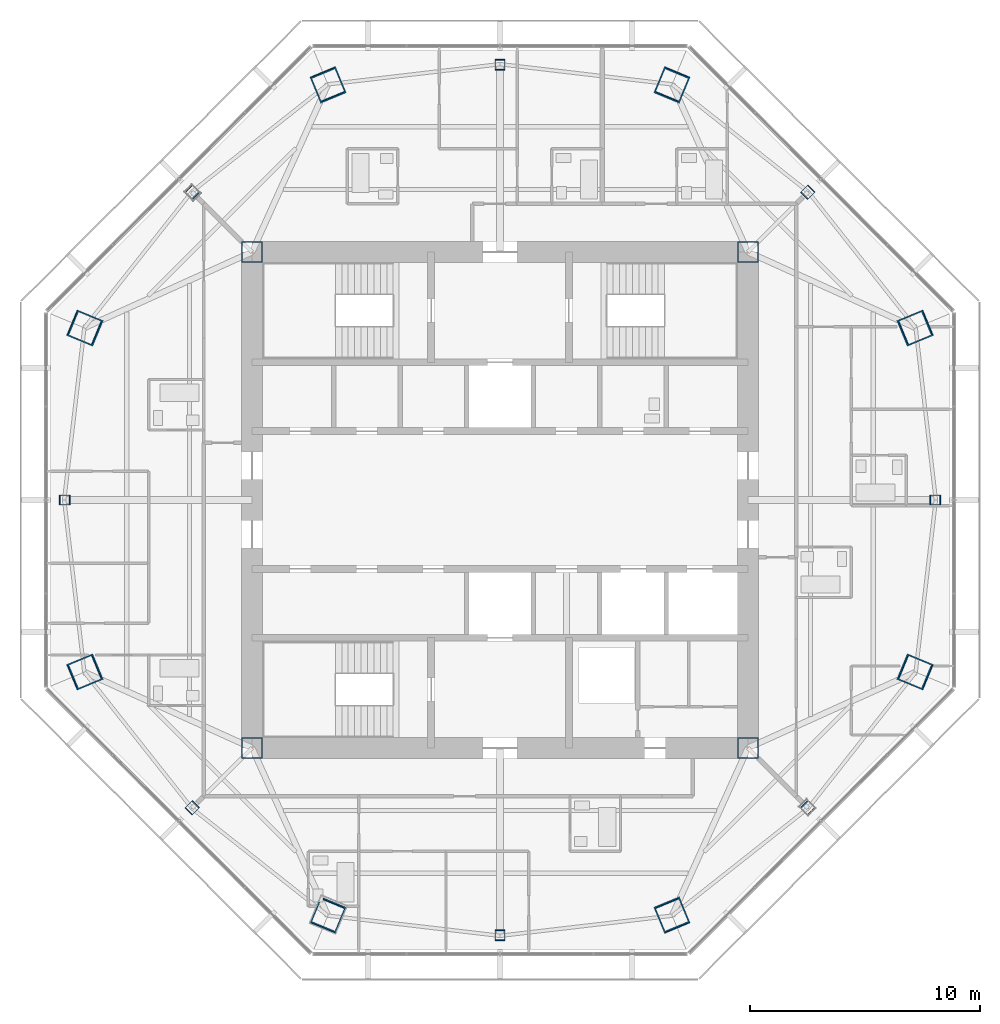
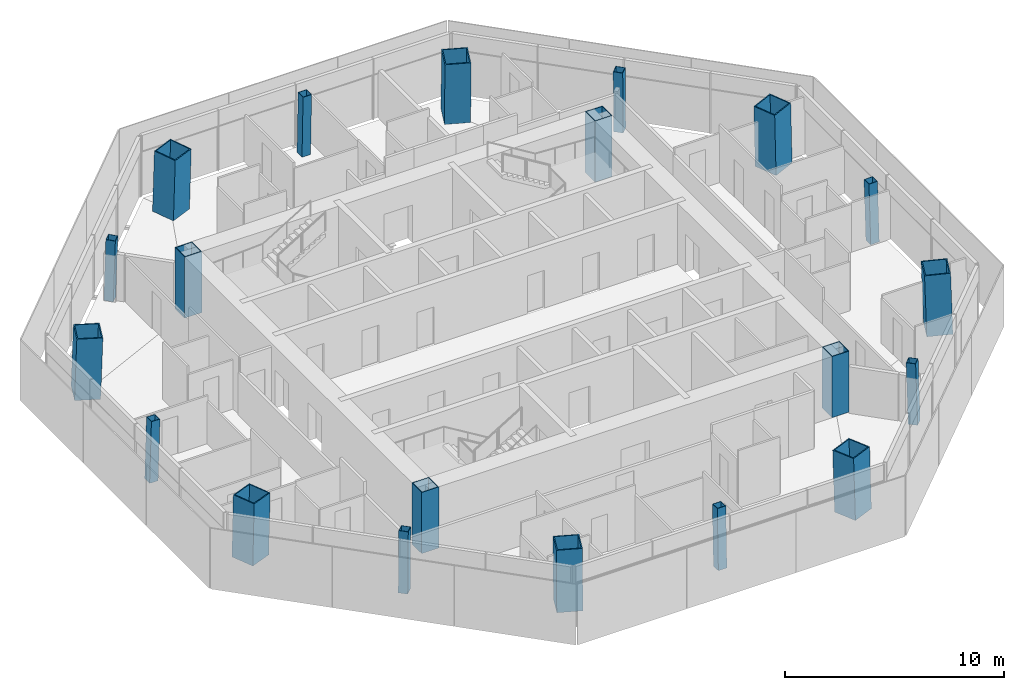
# One storey, part 1 of 15: 20 columns.
"""IFC4 building model written with IfcOpenShell, lengths in metres."""

from ifc_helpers import new_model, si_unit, direction, frame, origin, origin_2d, place, context, subcontext, project, spatial, hollow_rectangle, extrude, material, material_profile, profile_set, type_object, element, save


model = new_model("IFC4")

# Units and contexts
model_context = context("Model", 3, precision=1e-05, world=origin(), true_north=direction((0.0, 1.0)))
body_context = subcontext(model_context, "Body", "Model", "MODEL_VIEW")
ifc_project = project(units=[si_unit("LENGTHUNIT", "METRE"), si_unit("AREAUNIT", "SQUARE_METRE"), si_unit("VOLUMEUNIT", "CUBIC_METRE"), si_unit("PLANEANGLEUNIT", "RADIAN"), si_unit("MASSUNIT", "GRAM", prefix="KILO")], contexts=[model_context])

# Site, building, storey
site_placement = place(None, origin())
site = spatial("IfcSite", under=ifc_project, at=site_placement, CompositionType="ELEMENT")
building_placement = place(site_placement, origin())
building = spatial("IfcBuilding", under=site, at=building_placement, Name="Mashrafa Tower", CompositionType="ELEMENT")
storey_placement = place(building_placement, frame((0.0, 0.0, 291.199951171875)))
storey = spatial("IfcBuildingStorey", under=building, at=storey_placement, Name="L71", CompositionType="ELEMENT", Elevation=291.199951171875)

# Columns
ifc_material_1 = material(Name="Steel ASTM A572 Gr 50", Category="steel")
ifc_material_profile_1 = material_profile(ifc_material_1, hollow_rectangle(XDim=0.89990234375, YDim=0.89990234375, WallThickness=0.0400390625, at=origin_2d()), Name="BOX900X900X40")
ifc_profile_set_1 = profile_set([ifc_material_profile_1], Name="Steel ASTM A572 Gr 50")
column_type_1 = type_object("IfcColumnType", Name="Core corner column BOX900X900X40", PredefinedType="COLUMN", material=ifc_profile_set_1)
for number, where, z_axis, x_axis, name in (
    (1, (10.800048828125, 10.800048828125, 0.0), (0.0, 0.0, 1.0), (1.0, 0.0, 0.0), "Core corner column CC-NE L71"),
    (2, (-10.800048828125, 10.800048828125, 0.0), (0.0, 0.0, 1.0), (1.0, 0.0, 0.0), "Core corner column CC-NW L71"),
    (3, (-10.800048828125, -10.800048828125, 0.0), (0.0, 0.0, 1.0), (1.0, 0.0, 0.0), "Core corner column CC-SW L71"),
    (4, (10.800048828125, -10.800048828125, 0.0), (0.0, 0.0, 1.0), (1.0, 0.0, 0.0), "Core corner column CC-SE L71"),
):
    element("IfcColumn", number, at=place(storey_placement, frame(where, z_axis=z_axis, x_axis=x_axis)), inside=storey, type_object=column_type_1, Name=name, PredefinedType="COLUMN", context=body_context, shape_type="SweptSolid", body=[
        extrude(hollow_rectangle(XDim=0.89990234375, YDim=0.89990234375, WallThickness=0.0400390625, at=origin_2d()), origin(), (0.0, 0.0, 1.0), 3.400146484375),
    ])
ifc_material_2 = material(Name="Steel ASTM A572 Gr 50", Category="steel")
ifc_material_profile_2 = material_profile(ifc_material_2, hollow_rectangle(XDim=1.199951171875, YDim=1.199951171875, WallThickness=0.054931640625, at=origin_2d()), Name="BOX1200X1200X55")
ifc_profile_set_2 = profile_set([ifc_material_profile_2], Name="Steel ASTM A572 Gr 50")
column_type_2 = type_object("IfcColumnType", Name="Mega column CFST BOX1200X1200X55", PredefinedType="COLUMN", material=ifc_profile_set_2)
for number, where, z_axis, x_axis, name in (
    (5, (18.098876953125, 7.496826171875, 0.0), (-0.028277121884, -0.011698403216, 0.999531666202), (0.382282742426, -0.924045401938, 0.0), "Mega column MC1 L71"),
    (6, (7.496826171875, 18.098876953125, 0.0), (-0.011698403216, -0.028277121884, 0.999531666202), (0.924045401938, -0.382282742426, 0.0), "Mega column MC2 L71"),
    (7, (-7.496826171875, 18.098876953125, 0.0), (0.011698403216, -0.028277121884, 0.999531666202), (0.924045401938, 0.382282742426, 0.0), "Mega column MC3 L71"),
    (8, (-18.098876953125, 7.496826171875, 0.0), (0.028277121884, -0.011698403216, 0.999531666202), (0.382282742426, 0.924045401938, 0.0), "Mega column MC4 L71"),
    (9, (-18.098876953125, -7.496826171875, 0.0), (0.028277121884, 0.011698403216, 0.999531666202), (-0.382282742426, 0.924045401938, 0.0), "Mega column MC5 L71"),
    (10, (-7.496826171875, -18.098876953125, 0.0), (0.011698403216, 0.028277121884, 0.999531666202), (-0.924045401938, 0.382282742426, 0.0), "Mega column MC6 L71"),
    (11, (7.496826171875, -18.098876953125, 0.0), (-0.011698403216, 0.028277121884, 0.999531666202), (-0.924045401938, -0.382282742426, 0.0), "Mega column MC7 L71"),
    (12, (18.098876953125, -7.496826171875, 0.0), (-0.028277121884, 0.011698403216, 0.999531666202), (-0.382282742426, -0.924045401938, 0.0), "Mega column MC8 L71"),
):
    element("IfcColumn", number, at=place(storey_placement, frame(where, z_axis=z_axis, x_axis=x_axis)), inside=storey, type_object=column_type_2, Name=name, PredefinedType="COLUMN", context=body_context, shape_type="SweptSolid", body=[
        extrude(hollow_rectangle(XDim=1.199951171875, YDim=1.199951171875, WallThickness=0.054931640625, at=origin_2d()), origin(), (0.0, 0.0, 1.0), 3.40185546875),
    ])
ifc_material_3 = material(Name="Steel ASTM A572 Gr 50", Category="steel")
ifc_material_profile_3 = material_profile(ifc_material_3, hollow_rectangle(XDim=0.449951171875, YDim=0.449951171875, WallThickness=0.02001953125, at=origin_2d()), Name="BOX450X450X20")
ifc_profile_set_3 = profile_set([ifc_material_profile_3], Name="Steel ASTM A572 Gr 50")
column_type_3 = type_object("IfcColumnType", Name="Secondary column BOX450X450X20", PredefinedType="COLUMN", material=ifc_profile_set_3)
for number, where, z_axis, x_axis, name in (
    (13, (18.97705078125, 0.0, 0.0), (-0.028279056982, 0.0, 0.999600067495), (0.0, -1.0, 0.0), "Secondary column SC1 L71"),
    (14, (13.4189453125, 13.4189453125, 0.0), (-0.020024994503, -0.020024994503, 0.999598919162), (0.707106781187, -0.707106781187, 0.0), "Secondary column SC2 L71"),
    (15, (0.0, 18.97705078125, 0.0), (0.0, -0.028279056982, 0.999600067495), (1.0, 0.0, 0.0), "Secondary column SC3 L71"),
    (16, (-13.4189453125, 13.4189453125, 0.0), (0.020024994503, -0.020024994503, 0.999598919162), (0.707106781187, 0.707106781187, 0.0), "Secondary column SC4 L71"),
    (17, (-18.97705078125, 0.0, 0.0), (0.028279056982, 0.0, 0.999600067495), (0.0, 1.0, 0.0), "Secondary column SC5 L71"),
    (18, (-13.4189453125, -13.4189453125, 0.0), (0.020024994503, 0.020024994503, 0.999598919162), (-0.707106781187, 0.707106781187, 0.0), "Secondary column SC6 L71"),
    (19, (0.0, -18.97705078125, 0.0), (0.0, 0.028279056982, 0.999600067495), (-1.0, 0.0, 0.0), "Secondary column SC7 L71"),
    (20, (13.4189453125, -13.4189453125, 0.0), (-0.020024994503, 0.020024994503, 0.999598919162), (-0.707106781187, -0.707106781187, 0.0), "Secondary column SC8 L71"),
):
    element("IfcColumn", number, at=place(storey_placement, frame(where, z_axis=z_axis, x_axis=x_axis)), inside=storey, type_object=column_type_3, Name=name, PredefinedType="COLUMN", context=body_context, shape_type="SweptSolid", body=[
        extrude(hollow_rectangle(XDim=0.449951171875, YDim=0.449951171875, WallThickness=0.02001953125, at=origin_2d()), origin(), (0.0, 0.0, 1.0), 3.401611328125),
    ])

save(model, "model.ifc")
